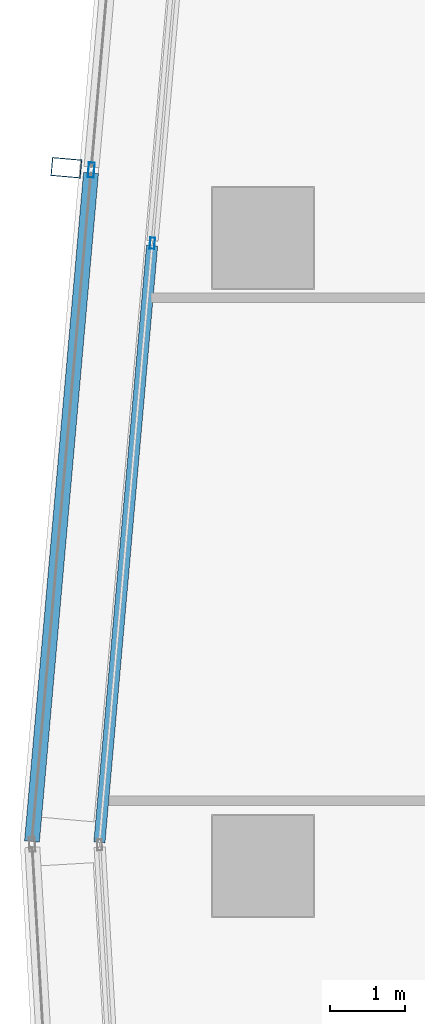
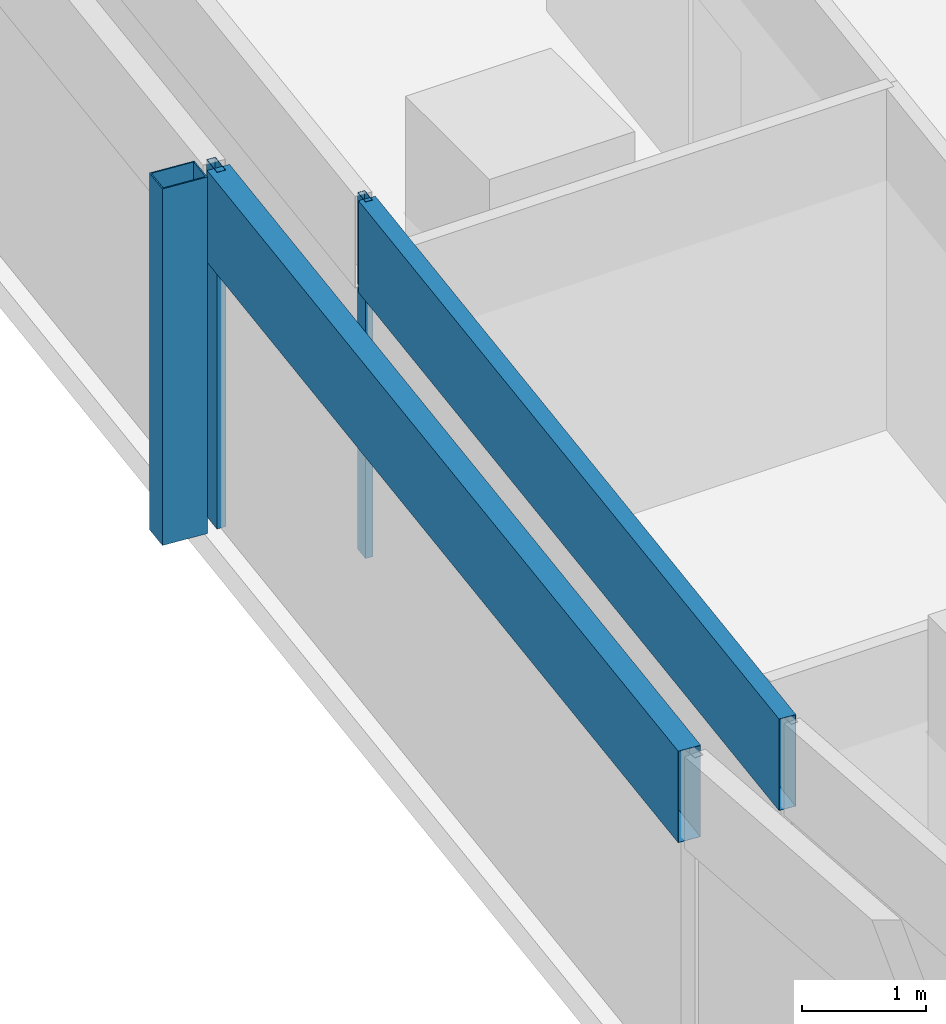
# One storey, part 16 of 39: 5 members, 2 elements without a shape of their own.
"""IFC4 building model written with IfcOpenShell, lengths in metres."""

from ifc_helpers import new_model, si_unit, direction, frame, origin, origin_2d, place, context, subcontext, project, spatial, hollow_rectangle, extrude, material, material_profile, profile_set, type_object, element, aggregate, save


model = new_model("IFC4")

# Units and contexts
model_context = context("Model", 3, precision=1e-05, world=origin(), true_north=direction((0.0, 1.0)))
body_context = subcontext(model_context, "Body", "Model", "MODEL_VIEW")
ifc_project = project(units=[si_unit("LENGTHUNIT", "METRE"), si_unit("AREAUNIT", "SQUARE_METRE"), si_unit("VOLUMEUNIT", "CUBIC_METRE"), si_unit("PLANEANGLEUNIT", "RADIAN"), si_unit("MASSUNIT", "GRAM", prefix="KILO")], contexts=[model_context])

# Site, building, storey
site_placement = place(None, origin())
site = spatial("IfcSite", under=ifc_project, at=site_placement, CompositionType="ELEMENT")
building_placement = place(site_placement, origin())
building = spatial("IfcBuilding", under=site, at=building_placement, Name="Rekha Terrace Tower", CompositionType="ELEMENT")
storey_placement = place(building_placement, frame((0.0, 0.0, 187.699951171875)))
storey = spatial("IfcBuildingStorey", under=building, at=storey_placement, Name="L47", CompositionType="ELEMENT", Elevation=187.699951171875)

# Curtain wall, member
ifc_material_1 = material(Name="Aluminium framing", Category="aluminium")
curtain_wall_type_1 = type_object("IfcCurtainWallType", Name="CW2 double skin outer glazing", PredefinedType="USERDEFINED", material=ifc_material_1)
curtain_wall_1_placement = place(storey_placement, origin())
curtain_wall_1 = element("IfcCurtainWall", 1, at=curtain_wall_1_placement, inside=storey, type_object=curtain_wall_type_1, Name="CW2 double skin outer glazing", ObjectType="DOUBLE SKIN OUTER GLAZING", PredefinedType="USERDEFINED")
ifc_material_2 = material(Name="Steel S355 with fluorocarbon finish", Category="steel")
ifc_material_profile_1 = material_profile(ifc_material_2, hollow_rectangle(XDim=0.25, YDim=0.39990234375, WallThickness=0.012451171875, at=origin_2d()), Name="RHS400x250x12.5")
ifc_profile_set_1 = profile_set([ifc_material_profile_1], Name="Steel S355 with fluorocarbon finish")
member_type_1 = type_object("IfcMemberType", Name="BL1 facade blade RHS 400 x 250", PredefinedType="USERDEFINED", material=ifc_profile_set_1)
member_1_placement = place(storey_placement, frame((5.77001953125, 51.341796875, 0.0), z_axis=(0.0, 0.0, 1.0), x_axis=(-0.087957249501, -0.996124250413, 0.0)))
member_1 = element("IfcMember", 2, at=member_1_placement, type_object=member_type_1, Name="Facade blade", ObjectType="FACADE BLADE", PredefinedType="USERDEFINED", context=body_context, shape_type="SweptSolid", body=[
    extrude(hollow_rectangle(XDim=0.25, YDim=0.39990234375, WallThickness=0.012451171875, at=origin_2d()), origin(), (0.0, 0.0, 1.0), 3.5),
])

# Curtain wall, members
curtain_wall_type_2 = type_object("IfcCurtainWallType", Name="CW1 double skin inner glazing", PredefinedType="USERDEFINED", material=ifc_material_1)
curtain_wall_2_placement = place(storey_placement, origin())
curtain_wall_2 = element("IfcCurtainWall", 3, at=curtain_wall_2_placement, inside=storey, type_object=curtain_wall_type_2, Name="CW1 double skin inner glazing", ObjectType="DOUBLE SKIN INNER GLAZING", PredefinedType="USERDEFINED")
ifc_material_3 = material(Name="Aluminium mullion section", Category="aluminium")
ifc_material_profile_2 = material_profile(ifc_material_3, hollow_rectangle(XDim=0.06494140625, YDim=0.14990234375, WallThickness=0.00390625, at=origin_2d()), Name="AL RHS 65x150")
ifc_profile_set_2 = profile_set([ifc_material_profile_2], Name="Aluminium mullion section")
member_type_2 = type_object("IfcMemberType", Name="CW1 mullion RHS 65 x 150", PredefinedType="MULLION", material=ifc_profile_set_2)
member_2_placement = place(storey_placement, frame((6.920654296875, 50.331787109375, 0.0), z_axis=(0.0, 0.0, 1.0), x_axis=(0.996124185422, -0.087957985523, 0.0)))
member_2 = element("IfcMember", 4, at=member_2_placement, type_object=member_type_2, Name="CW1 mullion 2", PredefinedType="MULLION", context=body_context, shape_type="SweptSolid", body=[
    extrude(hollow_rectangle(XDim=0.06494140625, YDim=0.14990234375, WallThickness=0.00390625, at=origin_2d()), origin(), (0.0, 0.0, 1.0), 3.5),
])
ifc_material_4 = material(Name="Insulated aluminium spandrel box", Category="aluminium")
ifc_material_profile_3 = material_profile(ifc_material_4, hollow_rectangle(XDim=0.14990234375, YDim=0.89990234375, WallThickness=0.0029296875, at=origin_2d()), Name="AL SPANDREL BOX 150x900")
ifc_profile_set_3 = profile_set([ifc_material_profile_3], Name="Insulated aluminium spandrel box")
member_type_3 = type_object("IfcMemberType", Name="CW1 spandrel transom 150 x 900", PredefinedType="USERDEFINED", material=ifc_profile_set_3)
member_3_placement = place(storey_placement, frame((6.917724609375, 50.29931640625, 3.050048828125), z_axis=(-0.087959586596, -0.996124044046, 0.0), x_axis=(0.996124044046, -0.087959586596, 0.0)))
member_3 = element("IfcMember", 5, at=member_3_placement, type_object=member_type_3, Name="CW1 spandrel transom 2", ObjectType="TRANSOM", PredefinedType="USERDEFINED", context=body_context, shape_type="SweptSolid", body=[
    extrude(hollow_rectangle(XDim=0.14990234375, YDim=0.89990234375, WallThickness=0.0029296875, at=origin_2d()), origin(), (0.0, 0.0, 1.0), 8.015869140625),
])
aggregate(curtain_wall_2, [member_2, member_3])

# Member
ifc_material_profile_4 = material_profile(ifc_material_3, hollow_rectangle(XDim=0.080078125, YDim=0.199951171875, WallThickness=0.00390625, at=origin_2d()), Name="AL RHS 80x200")
ifc_profile_set_4 = profile_set([ifc_material_profile_4], Name="Aluminium mullion section")
member_type_4 = type_object("IfcMemberType", Name="CW2 mullion RHS 80 x 200", PredefinedType="MULLION", material=ifc_profile_set_4)
member_4_placement = place(storey_placement, frame((6.103759765625, 51.312255859375, 0.0), z_axis=(0.0, 0.0, 1.0), x_axis=(0.996124185428, -0.087957985453, 0.0)))
member_4 = element("IfcMember", 6, at=member_4_placement, type_object=member_type_4, Name="CW2 mullion 2", PredefinedType="MULLION", context=body_context, shape_type="SweptSolid", body=[
    extrude(hollow_rectangle(XDim=0.080078125, YDim=0.199951171875, WallThickness=0.00390625, at=origin_2d()), origin(), (0.0, 0.0, 1.0), 3.5),
])

ifc_material_profile_5 = material_profile(ifc_material_4, hollow_rectangle(XDim=0.199951171875, YDim=0.89990234375, WallThickness=0.0029296875, at=origin_2d()), Name="AL SPANDREL BOX 200x900")
ifc_profile_set_5 = profile_set([ifc_material_profile_5], Name="Insulated aluminium spandrel box")
member_type_5 = type_object("IfcMemberType", Name="CW2 spandrel transom 200 x 900", PredefinedType="USERDEFINED", material=ifc_profile_set_5)
member_5_placement = place(storey_placement, frame((6.100341796875, 51.2724609375, 3.050048828125), z_axis=(-0.087981092326, -0.996122144816, 0.0), x_axis=(0.996122144816, -0.087981092326, 0.0)))
member_5 = element("IfcMember", 7, at=member_5_placement, type_object=member_type_5, Name="CW2 spandrel transom 2", ObjectType="TRANSOM", PredefinedType="USERDEFINED", context=body_context, shape_type="SweptSolid", body=[
    extrude(hollow_rectangle(XDim=0.199951171875, YDim=0.89990234375, WallThickness=0.0029296875, at=origin_2d()), origin(), (0.0, 0.0, 1.0), 8.979736328125),
])

aggregate(curtain_wall_1, [member_4, member_5, member_1])

save(model, "model.ifc")
